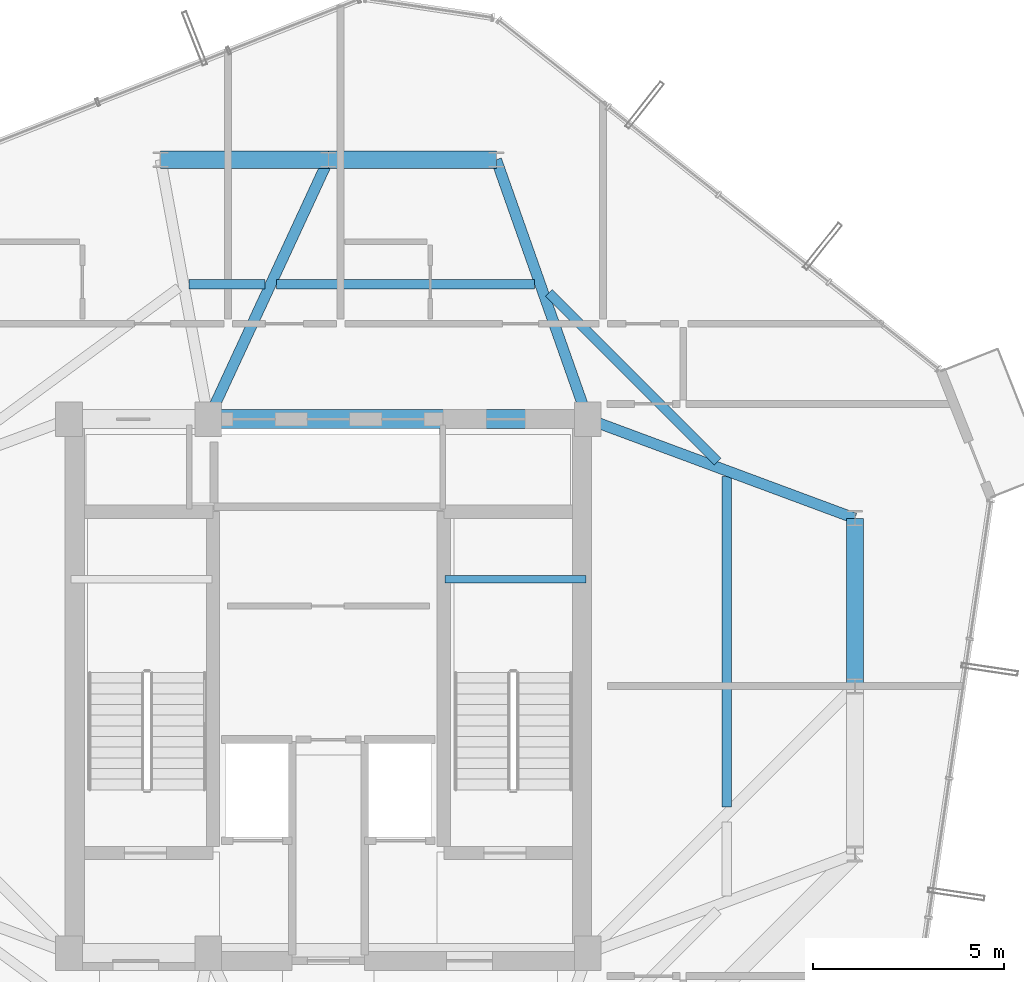
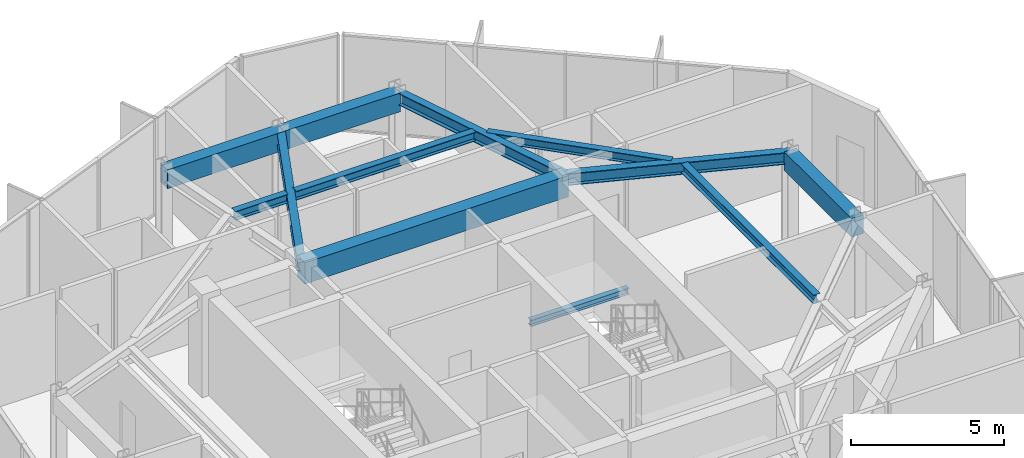
# One storey, part 11 of 22: 12 beams.
"""IFC4 building model written with IfcOpenShell, lengths in metres."""

from ifc_helpers import new_model, si_unit, direction, frame, origin, origin_2d, place, context, subcontext, project, spatial, rectangle, i_section, extrude, material, material_profile, profile_set, type_object, element, save


model = new_model("IFC4")

# Units and contexts
model_context = context("Model", 3, precision=1e-05, world=origin(), true_north=direction((0.0, 1.0)))
body_context = subcontext(model_context, "Body", "Model", "MODEL_VIEW")
ifc_project = project(units=[si_unit("LENGTHUNIT", "METRE"), si_unit("AREAUNIT", "SQUARE_METRE"), si_unit("VOLUMEUNIT", "CUBIC_METRE"), si_unit("PLANEANGLEUNIT", "RADIAN"), si_unit("MASSUNIT", "GRAM", prefix="KILO")], contexts=[model_context])

# Site, building, storey
site_placement = place(None, origin())
site = spatial("IfcSite", under=ifc_project, at=site_placement, CompositionType="ELEMENT")
building_placement = place(site_placement, origin())
building = spatial("IfcBuilding", under=site, at=building_placement, Name="Veraguas Prism Commons", CompositionType="ELEMENT")
storey_placement = place(building_placement, frame((0.0, 0.0, 236.550048828125)))
storey = spatial("IfcBuildingStorey", under=building, at=storey_placement, Name="L67", CompositionType="ELEMENT", Elevation=236.550048828125)

# Beams
ifc_material_1 = material(Name="Concrete C50/60", Category="concrete")
ifc_material_profile_1 = material_profile(ifc_material_1, rectangle(XDim=0.5, YDim=0.85009765625, at=origin_2d()), Name="RC500X850")
ifc_profile_set_1 = profile_set([ifc_material_profile_1], Name="Concrete C50/60")
beam_type_1 = type_object("IfcBeamType", Name="Core Coupling Beam RC 500x850", PredefinedType="BEAM", material=ifc_profile_set_1)
beam_1_placement = place(storey_placement, frame((20.85009765625, 31.0, 3.43994140625), z_axis=(1.0, 0.0, 0.0), x_axis=(0.0, 1.0, 0.0)))
element("IfcBeam", 1, at=beam_1_placement, inside=storey, type_object=beam_type_1, Name="Core Coupling Beam L67-CRN2", PredefinedType="BEAM", context=body_context, shape_type="SweptSolid", body=[
    extrude(rectangle(XDim=0.5, YDim=0.85009765625, at=origin_2d()), origin(), (0.0, 0.0, 1.0), 9.949951171875),
])
ifc_material_profile_2 = material_profile(ifc_material_1, rectangle(XDim=0.449951171875, YDim=0.75, at=origin_2d()), Name="RC450X750")
ifc_profile_set_2 = profile_set([ifc_material_profile_2], Name="Concrete C50/60")
beam_type_2 = type_object("IfcBeamType", Name="Perimeter Spandrel Upper RC 450x750", PredefinedType="SPANDREL", material=ifc_profile_set_2)
for number, where, z_axis, x_axis, name in (
    (2, (37.800048828125, 24.0, 3.489990234375), (0.0, 1.0, 0.0), (-1.0, 0.0, 0.0), "Perimeter Spandrel Beam L67-SP02"),
    (3, (28.39990234375, 37.800048828125, 3.489990234375), (-1.0, 0.0, 0.0), (0.0, -1.0, 0.0), "Perimeter Spandrel Beam L67-SP04"),
    (4, (24.0, 37.800048828125, 3.489990234375), (-1.0, 0.0, 0.0), (0.0, -1.0, 0.0), "Perimeter Spandrel Beam L67-SP05"),
):
    element("IfcBeam", number, at=place(storey_placement, frame(where, z_axis=z_axis, x_axis=x_axis)), inside=storey, type_object=beam_type_2, Name=name, PredefinedType="SPANDREL", context=body_context, shape_type="SweptSolid", body=[
        extrude(rectangle(XDim=0.449951171875, YDim=0.75, at=origin_2d()), origin(), (0.0, 0.0, 1.0), 4.39990234375),
    ])
ifc_material_2 = material(Name="Steel ASTM A992 Grade 50", Category="steel")
ifc_material_profile_3 = material_profile(ifc_material_2, i_section(OverallWidth=0.202880859375, OverallDepth=0.251953125, WebThickness=0.008056640625, FlangeThickness=0.013427734375, at=origin_2d()), Name="W250X58")
ifc_profile_set_3 = profile_set([ifc_material_profile_3], Name="Steel ASTM A992 Grade 50")
beam_type_3 = type_object("IfcBeamType", Name="Structural Opening Lintel W250x58", PredefinedType="LINTEL", material=ifc_profile_set_3)
beam_2_placement = place(storey_placement, frame((27.050048828125, 26.800048828125, 1.723876953125), z_axis=(1.0, 0.0, 0.0), x_axis=(0.0, 1.0, 0.0)))
element("IfcBeam", 5, at=beam_2_placement, inside=storey, type_object=beam_type_3, Name="Stair ST-02 Half-Landing Support Beam L67-1", PredefinedType="LINTEL", context=body_context, shape_type="SweptSolid", body=[
    extrude(i_section(OverallWidth=0.202880859375, OverallDepth=0.251953125, WebThickness=0.008056640625, FlangeThickness=0.013427734375, at=origin_2d()), origin(), (0.0, 0.0, 1.0), 3.699951171875),
])
ifc_material_profile_4 = material_profile(ifc_material_2, i_section(OverallWidth=0.25390625, OverallDepth=0.35302734375, WebThickness=0.009521484375, FlangeThickness=0.016357421875, at=origin_2d()), Name="W360X91")
ifc_profile_set_4 = profile_set([ifc_material_profile_4], Name="Steel ASTM A992 Grade 50")
beam_type_4 = type_object("IfcBeamType", Name="Upper Floor Joist W360x91", PredefinedType="JOIST", material=ifc_profile_set_4)
beam_3_placement = place(storey_placement, frame((34.43994140625, 20.83740234375, 3.6884765625), z_axis=(0.0, 1.0, 0.0), x_axis=(-1.0, 0.0, 0.0)))
element("IfcBeam", 6, at=beam_3_placement, inside=storey, type_object=beam_type_4, Name="Composite Floor Joist L67-JS02", PredefinedType="JOIST", context=body_context, shape_type="SweptSolid", body=[
    extrude(i_section(OverallWidth=0.25390625, OverallDepth=0.35302734375, WebThickness=0.009521484375, FlangeThickness=0.016357421875, at=origin_2d()), origin(), (0.0, 0.0, 1.0), 8.661865234375),
])
beam_4_placement = place(storey_placement, frame((34.203369140625, 29.884765625, 3.6884765625), z_axis=(-0.707126297541, 0.707087264294, 0.0), x_axis=(-0.707087264294, -0.707126297541, 0.0)))
element("IfcBeam", 7, at=beam_4_placement, inside=storey, type_object=beam_type_4, Name="Composite Floor Joist L67-JS03", PredefinedType="JOIST", context=body_context, shape_type="SweptSolid", body=[
    extrude(i_section(OverallWidth=0.25390625, OverallDepth=0.35302734375, WebThickness=0.009521484375, FlangeThickness=0.016357421875, at=origin_2d()), origin(), (0.0, 0.0, 1.0), 6.254638671875),
])
beam_5_placement = place(storey_placement, frame((29.404052734375, 34.535888671875, 3.6884765625), z_axis=(-1.0, 0.0, 0.0), x_axis=(0.0, -1.0, 0.0)))
element("IfcBeam", 8, at=beam_5_placement, inside=storey, type_object=beam_type_4, Name="Composite Floor Joist L67-JS04", PredefinedType="JOIST", context=body_context, shape_type="SweptSolid", body=[
    extrude(i_section(OverallWidth=0.25390625, OverallDepth=0.35302734375, WebThickness=0.009521484375, FlangeThickness=0.016357421875, at=origin_2d()), origin(), (0.0, 0.0, 1.0), 6.762451171875),
])
beam_6_placement = place(storey_placement, frame((22.334228515625, 34.535888671875, 3.6884765625), z_axis=(-1.0, 0.0, 0.0), x_axis=(0.0, -1.0, 0.0)))
element("IfcBeam", 9, at=beam_6_placement, inside=storey, type_object=beam_type_4, Name="Composite Floor Joist L67-JS05", PredefinedType="JOIST", context=body_context, shape_type="SweptSolid", body=[
    extrude(i_section(OverallWidth=0.25390625, OverallDepth=0.35302734375, WebThickness=0.009521484375, FlangeThickness=0.016357421875, at=origin_2d()), origin(), (0.0, 0.0, 1.0), 1.992431640625),
])
ifc_material_profile_5 = material_profile(ifc_material_2, i_section(OverallWidth=0.282958984375, OverallDepth=0.471923828125, WebThickness=0.013671875, FlangeThickness=0.022216796875, at=origin_2d()), Name="W460X144")
ifc_profile_set_5 = profile_set([ifc_material_profile_5], Name="Steel ASTM A992 Grade 50")
beam_type_5 = type_object("IfcBeamType", Name="Zone 4 Radial Girder W460x144", PredefinedType="BEAM", material=ifc_profile_set_5)
beam_7_placement = place(storey_placement, frame((37.800048828125, 28.39990234375, 3.62890625), z_axis=(-0.937421003341, 0.348198021958, 0.0), x_axis=(-0.348198021958, -0.937421003341, 0.0)))
element("IfcBeam", 10, at=beam_7_placement, inside=storey, type_object=beam_type_5, Name="Radial Floor Girder L67-RD03", PredefinedType="BEAM", context=body_context, shape_type="SweptSolid", body=[
    extrude(i_section(OverallWidth=0.282958984375, OverallDepth=0.471923828125, WebThickness=0.013671875, FlangeThickness=0.022216796875, at=origin_2d()), origin(), (0.0, 0.0, 1.0), 7.46728515625),
])
beam_8_placement = place(storey_placement, frame((28.39990234375, 37.800048828125, 3.62890625), z_axis=(0.332836055941, -0.942984708182, 0.0), x_axis=(0.942984708182, 0.332836055941, 0.0)))
element("IfcBeam", 11, at=beam_8_placement, inside=storey, type_object=beam_type_5, Name="Radial Floor Girder L67-RD04", PredefinedType="BEAM", context=body_context, shape_type="SweptSolid", body=[
    extrude(i_section(OverallWidth=0.282958984375, OverallDepth=0.471923828125, WebThickness=0.013671875, FlangeThickness=0.022216796875, at=origin_2d()), origin(), (0.0, 0.0, 1.0), 7.211181640625),
])
beam_9_placement = place(storey_placement, frame((24.0, 37.800048828125, 3.62890625), z_axis=(-0.420313834543, -0.907378796585, 0.0), x_axis=(0.907378796585, -0.420313834543, 0.0)))
element("IfcBeam", 12, at=beam_9_placement, inside=storey, type_object=beam_type_5, Name="Radial Floor Girder L67-RD05", PredefinedType="BEAM", context=body_context, shape_type="SweptSolid", body=[
    extrude(i_section(OverallWidth=0.282958984375, OverallDepth=0.471923828125, WebThickness=0.013671875, FlangeThickness=0.022216796875, at=origin_2d()), origin(), (0.0, 0.0, 1.0), 7.494140625),
])

save(model, "model.ifc")
